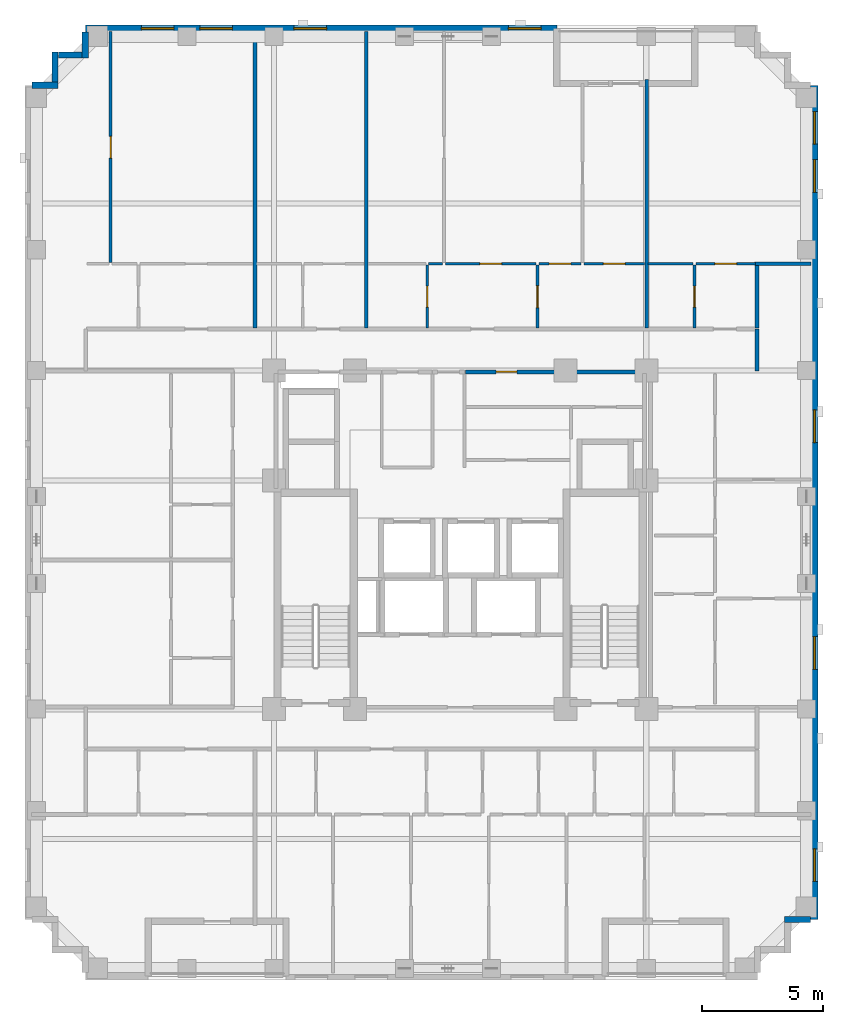
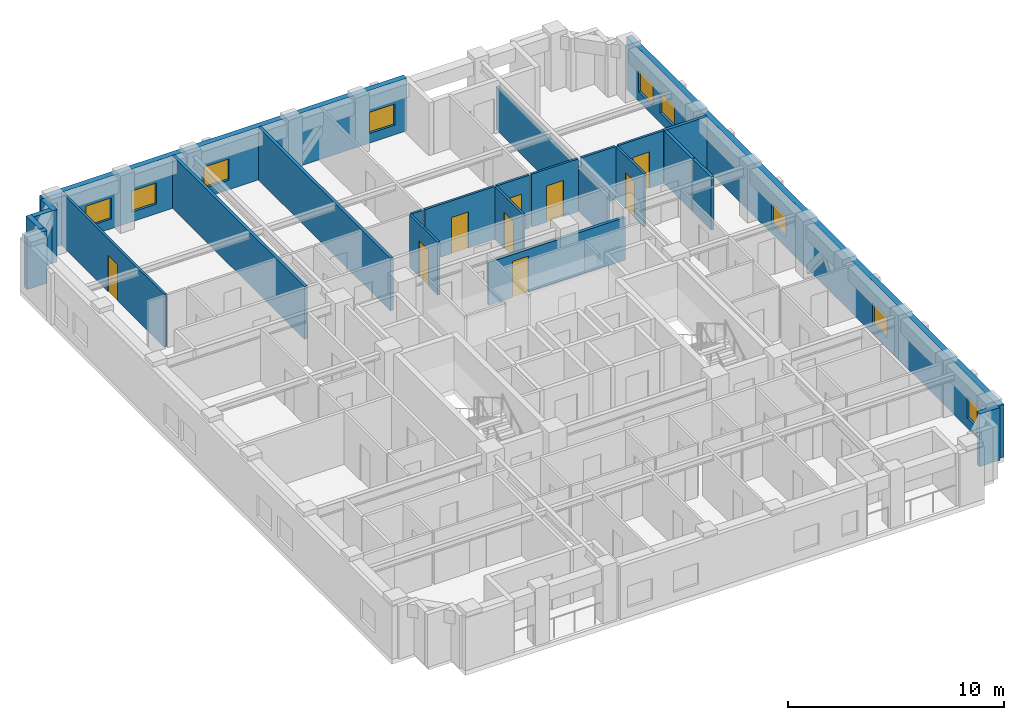
# One storey, part 7 of 11: 24 walls, 9 doors, 9 windows, 18 openings.
"""IFC4 building model written with IfcOpenShell, lengths in metres."""

from ifc_helpers import new_model, si_unit, derived_unit, direction, frame, frame_2d, origin, place, context, subcontext, project, spatial, rectangle, extrude, material, layer, layer_set, type_object, element, fill, save


model = new_model("IFC4")

# Units and contexts
model_context = context("Model", 3, precision=1e-05, world=origin(), true_north=direction((0.0, 1.0)))
body_context = subcontext(model_context, "Body", "Model", "MODEL_VIEW")
ifc_project = project(units=[si_unit("LENGTHUNIT", "METRE"), si_unit("AREAUNIT", "SQUARE_METRE"), si_unit("VOLUMEUNIT", "CUBIC_METRE"), si_unit("PLANEANGLEUNIT", "RADIAN"), si_unit("MASSUNIT", "GRAM", prefix="KILO"), derived_unit("THERMALTRANSMITTANCEUNIT", [(si_unit("MASSUNIT", "GRAM", prefix="KILO"), 1), (si_unit("TIMEUNIT", "SECOND"), -3), (si_unit("THERMODYNAMICTEMPERATUREUNIT", "KELVIN"), -1)])], contexts=[model_context])

# Site, building, storey
site_placement = place(None, origin())
site = spatial("IfcSite", under=ifc_project, at=site_placement, CompositionType="ELEMENT")
building_placement = place(site_placement, origin())
building = spatial("IfcBuilding", under=site, at=building_placement, Name="Korrvale Station Residences", CompositionType="ELEMENT")
storey_placement = place(building_placement, frame((0.0, 0.0, 140.64990234375)))
storey = spatial("IfcBuildingStorey", under=building, at=storey_placement, Name="L40", CompositionType="ELEMENT", Elevation=140.64990234375)

# Walls
ifc_material_1 = material(Name="Precast concrete C45/55", Category="concrete")
ifc_layer_1 = layer(ifc_material_1, 0.260009765625, Name="Precast concrete C45/55")
ifc_layer_set_1 = layer_set([ifc_layer_1], Name="Precast concrete C45/55")
wall_type_1 = type_object("IfcWallType", Name="WAL-EXT-LOG260", PredefinedType="SOLIDWALL", material=ifc_layer_set_1)
wall_1_placement = place(storey_placement, frame((7.802001953125, 40.800048828125, 0.0), z_axis=(0.0, 0.0, 1.0), x_axis=(1.0, 0.0, 0.0)))
element("IfcWall", 1, at=wall_1_placement, inside=storey, type_object=wall_type_1, Name="L40 Serrated Corner Precast Step NW-1", PredefinedType="SOLIDWALL", context=body_context, shape_type="SweptSolid", body=[
    extrude(rectangle(XDim=1.077880859375, YDim=0.260009765625, at=frame_2d((0.5390625, 0.0))), origin(), (0.0, 0.0, 1.0), 2.989990234375),
])
wall_2_placement = place(storey_placement, frame((8.75, 40.931884765625, 0.0), z_axis=(0.0, 0.0, 1.0), x_axis=(0.0, 1.0, 0.0)))
element("IfcWall", 2, at=wall_2_placement, inside=storey, type_object=wall_type_1, Name="L40 Serrated Corner Precast Step NW-2", PredefinedType="SOLIDWALL", context=body_context, shape_type="SweptSolid", body=[
    extrude(rectangle(XDim=1.248046875, YDim=0.260009765625, at=frame_2d((0.6240234375, 0.0))), origin(), (0.0, 0.0, 1.0), 2.989990234375),
])
wall_3_placement = place(storey_placement, frame((8.882080078125, 42.050048828125, 0.0), z_axis=(0.0, 0.0, 1.0), x_axis=(1.0, 0.0, 0.0)))
element("IfcWall", 3, at=wall_3_placement, inside=storey, type_object=wall_type_1, Name="L40 Serrated Corner Precast Step NW-3", PredefinedType="SOLIDWALL", context=body_context, shape_type="SweptSolid", body=[
    extrude(rectangle(XDim=0.98583984375, YDim=0.260009765625, at=frame_2d((0.492919921875, 0.0))), origin(), (0.0, 0.0, 1.0), 2.989990234375),
])
for number, where, z_axis, x_axis, name in (
    (4, (10.0, 41.919921875, 0.0), (0.0, 0.0, 1.0), (0.0, 1.0, 0.0), "L40 Serrated Corner Precast Step NW-4"),
    (5, (39.998046875, 6.300048828125, 0.0), (0.0, 0.0, 1.0), (-1.0, 0.0, 0.0), "L40 Serrated Corner Precast Step SE-1"),
):
    element("IfcWall", number, at=place(storey_placement, frame(where, z_axis=z_axis, x_axis=x_axis)), inside=storey, type_object=wall_type_1, Name=name, PredefinedType="SOLIDWALL", context=body_context, shape_type="SweptSolid", body=[
        extrude(rectangle(XDim=1.078125, YDim=0.260009765625, at=frame_2d((0.5390625, 0.0))), origin(), (0.0, 0.0, 1.0), 2.989990234375),
    ])

# Wall, openings, windows
ifc_layer_2 = layer(ifc_material_1, 0.300048828125, Name="Precast concrete C45/55")
ifc_layer_set_2 = layer_set([ifc_layer_2], Name="Precast concrete C45/55")
wall_type_2 = type_object("IfcWallType", Name="WAL-EXT-PC300", PredefinedType="SOLIDWALL", material=ifc_layer_set_2)
wall_4_placement = place(storey_placement, frame((10.0, 43.14990234375, 0.0), z_axis=(0.0, 0.0, 1.0), x_axis=(1.0, 0.0, 0.0)))
wall_4 = element("IfcWall", 6, at=wall_4_placement, inside=storey, type_object=wall_type_2, Name="L40 North Exterior Precast Wall 1", PredefinedType="SOLIDWALL", context=body_context, shape_type="SweptSolid", body=[
    extrude(rectangle(XDim=19.5, YDim=0.300048828125, at=frame_2d((9.75, 0.0))), origin(), (0.0, 0.0, 1.0), 2.989990234375),
])
opening_1_placement = place(wall_4_placement, frame((2.31494140625, 0.0, 0.550048828125)))
opening_1 = element("IfcOpeningElement", 7, at=opening_1_placement, cuts=wall_4, Name="Opening W-10", PredefinedType="OPENING", context=body_context, shape_type="SweptSolid", body=[
    extrude(rectangle(XDim=1.35009765625, YDim=1.199951171875, at=frame_2d((0.675048828125, 0.60009765625))), frame((0.0, 0.16015625, 0.0), z_axis=(0.0, -1.0, 0.0), x_axis=(1.0, 0.0, 0.0)), (0.0, 0.0, 1.0), 0.320068359375),
])
opening_2_placement = place(wall_4_placement, frame((4.735107421875, 0.0, 0.550048828125)))
opening_2 = element("IfcOpeningElement", 8, at=opening_2_placement, cuts=wall_4, Name="Opening W-10", PredefinedType="OPENING", context=body_context, shape_type="SweptSolid", body=[
    extrude(rectangle(XDim=1.35009765625, YDim=1.199951171875, at=frame_2d((0.675048828125, 0.60009765625))), frame((0.0, 0.16015625, 0.0), z_axis=(0.0, -1.0, 0.0), x_axis=(1.0, 0.0, 0.0)), (0.0, 0.0, 1.0), 0.320068359375),
])
opening_3_placement = place(wall_4_placement, frame((8.625, 0.0, 0.550048828125)))
opening_3 = element("IfcOpeningElement", 9, at=opening_3_placement, cuts=wall_4, Name="Opening W-10", PredefinedType="OPENING", context=body_context, shape_type="SweptSolid", body=[
    extrude(rectangle(XDim=1.35009765625, YDim=1.199951171875, at=frame_2d((0.675048828125, 0.60009765625))), frame((0.0, 0.16015625, 0.0), z_axis=(0.0, -1.0, 0.0), x_axis=(1.0, 0.0, 0.0)), (0.0, 0.0, 1.0), 0.320068359375),
])
opening_4_placement = place(wall_4_placement, frame((17.5, 0.0, 0.550048828125)))
opening_4 = element("IfcOpeningElement", 10, at=opening_4_placement, cuts=wall_4, Name="Opening W-10", PredefinedType="OPENING", context=body_context, shape_type="SweptSolid", body=[
    extrude(rectangle(XDim=1.35009765625, YDim=1.199951171875, at=frame_2d((0.675048828125, 0.60009765625))), frame((0.0, 0.16015625, 0.0), z_axis=(0.0, -1.0, 0.0), x_axis=(1.0, 0.0, 0.0)), (0.0, 0.0, 1.0), 0.320068359375),
])
ifc_material_2 = material(Name="Thermally broken aluminium frame with triple low-e glazing", Category="aluminium")
window_type = type_object("IfcWindowType", Name="WIN-W10", PartitioningType="SINGLE_PANEL", PredefinedType="WINDOW", material=ifc_material_2)
window_1_placement = place(opening_1_placement, origin())
window_1 = element("IfcWindow", 11, at=window_1_placement, inside=storey, type_object=window_type, Name="L40 Punched Window 09", OverallHeight=1.199951171875, OverallWidth=1.35009765625, PartitioningType="SINGLE_PANEL", PredefinedType="WINDOW", context=body_context, shape_type="SweptSolid", body=[
    extrude(rectangle(XDim=1.35009765625, YDim=1.199951171875, at=frame_2d((0.675048828125, 0.60009765625))), frame((0.0, 0.030029296875, 0.0), z_axis=(0.0, -1.0, 0.0), x_axis=(1.0, 0.0, 0.0)), (0.0, 0.0, 1.0), 0.06005859375),
])
fill(opening_1, window_1)
window_2_placement = place(opening_2_placement, origin())
window_2 = element("IfcWindow", 12, at=window_2_placement, inside=storey, type_object=window_type, Name="L40 Punched Window 10", OverallHeight=1.199951171875, OverallWidth=1.35009765625, PartitioningType="SINGLE_PANEL", PredefinedType="WINDOW", context=body_context, shape_type="SweptSolid", body=[
    extrude(rectangle(XDim=1.35009765625, YDim=1.199951171875, at=frame_2d((0.675048828125, 0.60009765625))), frame((0.0, 0.030029296875, 0.0), z_axis=(0.0, -1.0, 0.0), x_axis=(1.0, 0.0, 0.0)), (0.0, 0.0, 1.0), 0.06005859375),
])
fill(opening_2, window_2)
window_3_placement = place(opening_3_placement, origin())
window_3 = element("IfcWindow", 13, at=window_3_placement, inside=storey, type_object=window_type, Name="L40 Punched Window 11", OverallHeight=1.199951171875, OverallWidth=1.35009765625, PartitioningType="SINGLE_PANEL", PredefinedType="WINDOW", context=body_context, shape_type="SweptSolid", body=[
    extrude(rectangle(XDim=1.35009765625, YDim=1.199951171875, at=frame_2d((0.675048828125, 0.60009765625))), frame((0.0, 0.030029296875, 0.0), z_axis=(0.0, -1.0, 0.0), x_axis=(1.0, 0.0, 0.0)), (0.0, 0.0, 1.0), 0.06005859375),
])
fill(opening_3, window_3)
window_4_placement = place(opening_4_placement, origin())
window_4 = element("IfcWindow", 14, at=window_4_placement, inside=storey, type_object=window_type, Name="L40 Punched Window 12", OverallHeight=1.199951171875, OverallWidth=1.35009765625, PartitioningType="SINGLE_PANEL", PredefinedType="WINDOW", context=body_context, shape_type="SweptSolid", body=[
    extrude(rectangle(XDim=1.35009765625, YDim=1.199951171875, at=frame_2d((0.675048828125, 0.60009765625))), frame((0.0, 0.030029296875, 0.0), z_axis=(0.0, -1.0, 0.0), x_axis=(1.0, 0.0, 0.0)), (0.0, 0.0, 1.0), 0.06005859375),
])
fill(opening_4, window_4)

wall_5_placement = place(storey_placement, frame((40.14990234375, 40.800048828125, 0.0), z_axis=(0.0, 0.0, 1.0), x_axis=(0.0, -1.0, 0.0)))
wall_5 = element("IfcWall", 15, at=wall_5_placement, inside=storey, type_object=wall_type_2, Name="L40 East Exterior Precast Wall 1", PredefinedType="SOLIDWALL", context=body_context, shape_type="SweptSolid", body=[
    extrude(rectangle(XDim=34.5, YDim=0.300048828125, at=frame_2d((17.25, 0.0))), origin(), (0.0, 0.0, 1.0), 2.989990234375),
])
opening_5_placement = place(wall_5_placement, frame((31.574951171875, 0.0, 0.550048828125)))
opening_5 = element("IfcOpeningElement", 16, at=opening_5_placement, cuts=wall_5, Name="Opening W-10", PredefinedType="OPENING", context=body_context, shape_type="SweptSolid", body=[
    extrude(rectangle(XDim=1.35009765625, YDim=1.199951171875, at=frame_2d((0.675048828125, 0.60009765625))), frame((0.0, 0.16015625, 0.0), z_axis=(0.0, -1.0, 0.0), x_axis=(1.0, 0.0, 0.0)), (0.0, 0.0, 1.0), 0.320068359375),
])
opening_6_placement = place(wall_5_placement, frame((3.074951171875, 0.0, 0.550048828125)))
opening_6 = element("IfcOpeningElement", 17, at=opening_6_placement, cuts=wall_5, Name="Opening W-10", PredefinedType="OPENING", context=body_context, shape_type="SweptSolid", body=[
    extrude(rectangle(XDim=1.35009765625, YDim=1.199951171875, at=frame_2d((0.675048828125, 0.60009765625))), frame((0.0, 0.16015625, 0.0), z_axis=(0.0, -1.0, 0.0), x_axis=(1.0, 0.0, 0.0)), (0.0, 0.0, 1.0), 0.320068359375),
])
opening_7_placement = place(wall_5_placement, frame((1.0849609375, 0.0, 0.550048828125)))
opening_7 = element("IfcOpeningElement", 18, at=opening_7_placement, cuts=wall_5, Name="Opening W-10", PredefinedType="OPENING", context=body_context, shape_type="SweptSolid", body=[
    extrude(rectangle(XDim=1.35009765625, YDim=1.199951171875, at=frame_2d((0.675048828125, 0.60009765625))), frame((0.0, 0.16015625, 0.0), z_axis=(0.0, -1.0, 0.0), x_axis=(1.0, 0.0, 0.0)), (0.0, 0.0, 1.0), 0.320068359375),
])
opening_8_placement = place(wall_5_placement, frame((22.800048828125, 0.0, 0.550048828125)))
opening_8 = element("IfcOpeningElement", 19, at=opening_8_placement, cuts=wall_5, Name="Opening W-10", PredefinedType="OPENING", context=body_context, shape_type="SweptSolid", body=[
    extrude(rectangle(XDim=1.35009765625, YDim=1.199951171875, at=frame_2d((0.675048828125, 0.60009765625))), frame((0.0, 0.16015625, 0.0), z_axis=(0.0, -1.0, 0.0), x_axis=(1.0, 0.0, 0.0)), (0.0, 0.0, 1.0), 0.320068359375),
])
opening_9_placement = place(wall_5_placement, frame((13.425048828125, 0.0, 0.550048828125)))
opening_9 = element("IfcOpeningElement", 20, at=opening_9_placement, cuts=wall_5, Name="Opening W-10", PredefinedType="OPENING", context=body_context, shape_type="SweptSolid", body=[
    extrude(rectangle(XDim=1.35009765625, YDim=1.199951171875, at=frame_2d((0.675048828125, 0.60009765625))), frame((0.0, 0.16015625, 0.0), z_axis=(0.0, -1.0, 0.0), x_axis=(1.0, 0.0, 0.0)), (0.0, 0.0, 1.0), 0.320068359375),
])
window_5_placement = place(opening_5_placement, origin())
window_5 = element("IfcWindow", 21, at=window_5_placement, inside=storey, type_object=window_type, Name="L40 Punched Window 06", OverallHeight=1.199951171875, OverallWidth=1.35009765625, PartitioningType="SINGLE_PANEL", PredefinedType="WINDOW", context=body_context, shape_type="SweptSolid", body=[
    extrude(rectangle(XDim=1.35009765625, YDim=1.199951171875, at=frame_2d((0.675048828125, 0.60009765625))), frame((0.0, 0.030029296875, 0.0), z_axis=(0.0, -1.0, 0.0), x_axis=(1.0, 0.0, 0.0)), (0.0, 0.0, 1.0), 0.06005859375),
])
fill(opening_5, window_5)
window_6_placement = place(opening_6_placement, origin())
window_6 = element("IfcWindow", 22, at=window_6_placement, inside=storey, type_object=window_type, Name="L40 Punched Window 14", OverallHeight=1.199951171875, OverallWidth=1.35009765625, PartitioningType="SINGLE_PANEL", PredefinedType="WINDOW", context=body_context, shape_type="SweptSolid", body=[
    extrude(rectangle(XDim=1.35009765625, YDim=1.199951171875, at=frame_2d((0.675048828125, 0.60009765625))), frame((0.0, 0.030029296875, 0.0), z_axis=(0.0, -1.0, 0.0), x_axis=(1.0, 0.0, 0.0)), (0.0, 0.0, 1.0), 0.06005859375),
])
fill(opening_6, window_6)
window_7_placement = place(opening_7_placement, origin())
window_7 = element("IfcWindow", 23, at=window_7_placement, inside=storey, type_object=window_type, Name="L40 Punched Window 15", OverallHeight=1.199951171875, OverallWidth=1.35009765625, PartitioningType="SINGLE_PANEL", PredefinedType="WINDOW", context=body_context, shape_type="SweptSolid", body=[
    extrude(rectangle(XDim=1.35009765625, YDim=1.199951171875, at=frame_2d((0.675048828125, 0.60009765625))), frame((0.0, 0.030029296875, 0.0), z_axis=(0.0, -1.0, 0.0), x_axis=(1.0, 0.0, 0.0)), (0.0, 0.0, 1.0), 0.06005859375),
])
fill(opening_7, window_7)
window_8_placement = place(opening_8_placement, origin())
window_8 = element("IfcWindow", 24, at=window_8_placement, inside=storey, type_object=window_type, Name="L40 Punched Window 20", OverallHeight=1.199951171875, OverallWidth=1.35009765625, PartitioningType="SINGLE_PANEL", PredefinedType="WINDOW", context=body_context, shape_type="SweptSolid", body=[
    extrude(rectangle(XDim=1.35009765625, YDim=1.199951171875, at=frame_2d((0.675048828125, 0.60009765625))), frame((0.0, 0.030029296875, 0.0), z_axis=(0.0, -1.0, 0.0), x_axis=(1.0, 0.0, 0.0)), (0.0, 0.0, 1.0), 0.06005859375),
])
fill(opening_8, window_8)
window_9_placement = place(opening_9_placement, origin())
window_9 = element("IfcWindow", 25, at=window_9_placement, inside=storey, type_object=window_type, Name="L40 Punched Window 21", OverallHeight=1.199951171875, OverallWidth=1.35009765625, PartitioningType="SINGLE_PANEL", PredefinedType="WINDOW", context=body_context, shape_type="SweptSolid", body=[
    extrude(rectangle(XDim=1.35009765625, YDim=1.199951171875, at=frame_2d((0.675048828125, 0.60009765625))), frame((0.0, 0.030029296875, 0.0), z_axis=(0.0, -1.0, 0.0), x_axis=(1.0, 0.0, 0.0)), (0.0, 0.0, 1.0), 0.06005859375),
])
fill(opening_9, window_9)

# Wall, opening, door
ifc_material_3 = material(Name="Acoustic steel-stud gypsum board partition", Category="steel")
ifc_layer_3 = layer(ifc_material_3, 0.1201171875, Name="Acoustic steel-stud gypsum board partition")
ifc_layer_set_3 = layer_set([ifc_layer_3], Name="Acoustic steel-stud gypsum board partition")
wall_type_3 = type_object("IfcWallType", Name="WAL-PART-125", PredefinedType="PARTITIONING", material=ifc_layer_set_3)
wall_6_placement = place(storey_placement, frame((11.050048828125, 33.47998046875, 0.0), z_axis=(0.0, 0.0, 1.0), x_axis=(0.0, 1.0, 0.0)))
wall_6 = element("IfcWall", 26, at=wall_6_placement, inside=storey, type_object=wall_type_3, Name="L40 Suite Partition U03-V23", PredefinedType="PARTITIONING", context=body_context, shape_type="SweptSolid", body=[
    extrude(rectangle(XDim=9.5400390625, YDim=0.1201171875, at=frame_2d((4.77001953125, 0.0))), origin(), (0.0, 0.0, 1.0), 2.989990234375),
])
opening_10_placement = place(wall_6_placement, frame((4.304931640625, 0.0, 0.0)))
opening_10 = element("IfcOpeningElement", 27, at=opening_10_placement, cuts=wall_6, Name="Opening DI-900", PredefinedType="OPENING", context=body_context, shape_type="SweptSolid", body=[
    extrude(rectangle(XDim=0.89990234375, YDim=2.050048828125, at=frame_2d((0.449951171875, 1.02490234375))), frame((0.0, 0.070068359375, 0.0), z_axis=(0.0, -1.0, 0.0), x_axis=(1.0, 0.0, 0.0)), (0.0, 0.0, 1.0), 0.14013671875),
])
ifc_material_4 = material(Name="Painted solid-core timber interior room door", Category="wood")
door_type_1 = type_object("IfcDoorType", Name="DR-INT-900", OperationType="NOTDEFINED", PredefinedType="DOOR", material=ifc_material_4)
door_1_placement = place(opening_10_placement, origin())
door_1 = element("IfcDoor", 28, at=door_1_placement, inside=storey, type_object=door_type_1, Name="L40 Studio Apartment L40-U03 Walk-In Wardrobe Door", OperationType="SINGLE_SWING_RIGHT", OverallHeight=2.050048828125, OverallWidth=0.89990234375, PredefinedType="DOOR", context=body_context, shape_type="SweptSolid", body=[
    extrude(rectangle(XDim=0.89990234375, YDim=2.050048828125, at=frame_2d((0.449951171875, 1.02490234375))), frame((0.0, 0.02490234375, 0.0), z_axis=(0.0, -1.0, 0.0), x_axis=(1.0, 0.0, 0.0)), (0.0, 0.0, 1.0), 0.050048828125),
])
fill(opening_10, door_1)

wall_7_placement = place(storey_placement, frame((24.14111328125, 30.760009765625, 0.0), z_axis=(0.0, 0.0, 1.0), x_axis=(0.0, 1.0, 0.0)))
wall_7 = element("IfcWall", 29, at=wall_7_placement, inside=storey, type_object=wall_type_3, Name="L40 Suite Partition U05-V01", PredefinedType="PARTITIONING", context=body_context, shape_type="SweptSolid", body=[
    extrude(rectangle(XDim=2.60009765625, YDim=0.1201171875, at=frame_2d((1.300048828125, 0.0))), origin(), (0.0, 0.0, 1.0), 2.989990234375),
])
opening_11_placement = place(wall_7_placement, frame((0.8701171875, 0.0, 0.0)))
opening_11 = element("IfcOpeningElement", 30, at=opening_11_placement, cuts=wall_7, Name="Opening DB-860", PredefinedType="OPENING", context=body_context, shape_type="SweptSolid", body=[
    extrude(rectangle(XDim=0.860107421875, YDim=2.050048828125, at=frame_2d((0.43017578125, 1.02490234375))), frame((0.0, 0.070068359375, 0.0), z_axis=(0.0, -1.0, 0.0), x_axis=(1.0, 0.0, 0.0)), (0.0, 0.0, 1.0), 0.14013671875),
])
ifc_material_5 = material(Name="Moisture-resistant solid-core bathroom door", Category="timber")
door_type_2 = type_object("IfcDoorType", Name="DR-BATH-860", OperationType="NOTDEFINED", PredefinedType="DOOR", material=ifc_material_5)
door_2_placement = place(opening_11_placement, origin())
door_2 = element("IfcDoor", 31, at=door_2_placement, inside=storey, type_object=door_type_2, Name="L40 Studio Apartment L40-U05 Bathroom Door", OperationType="SINGLE_SWING_LEFT", OverallHeight=2.050048828125, OverallWidth=0.860107421875, PredefinedType="DOOR", context=body_context, shape_type="SweptSolid", body=[
    extrude(rectangle(XDim=0.860107421875, YDim=2.050048828125, at=frame_2d((0.43017578125, 1.02490234375))), frame((0.0, 0.02490234375, 0.0), z_axis=(0.0, -1.0, 0.0), x_axis=(1.0, 0.0, 0.0)), (0.0, 0.0, 1.0), 0.050048828125),
])
fill(opening_11, door_2)

wall_8_placement = place(storey_placement, frame((28.700927734375, 30.760009765625, 0.0), z_axis=(0.0, 0.0, 1.0), x_axis=(0.0, 1.0, 0.0)))
wall_8 = element("IfcWall", 32, at=wall_8_placement, inside=storey, type_object=wall_type_3, Name="L40 Suite Partition U05-V12", PredefinedType="PARTITIONING", context=body_context, shape_type="SweptSolid", body=[
    extrude(rectangle(XDim=2.60009765625, YDim=0.1201171875, at=frame_2d((1.300048828125, 0.0))), origin(), (0.0, 0.0, 1.0), 2.989990234375),
])
opening_12_placement = place(wall_8_placement, frame((0.85009765625, 0.0, 0.0)))
opening_12 = element("IfcOpeningElement", 33, at=opening_12_placement, cuts=wall_8, Name="Opening DI-900", PredefinedType="OPENING", context=body_context, shape_type="SweptSolid", body=[
    extrude(rectangle(XDim=0.89990234375, YDim=2.050048828125, at=frame_2d((0.449951171875, 1.02490234375))), frame((0.0, 0.070068359375, 0.0), z_axis=(0.0, -1.0, 0.0), x_axis=(1.0, 0.0, 0.0)), (0.0, 0.0, 1.0), 0.14013671875),
])
door_3_placement = place(opening_12_placement, origin())
door_3 = element("IfcDoor", 34, at=door_3_placement, inside=storey, type_object=door_type_1, Name="L40 Studio Apartment L40-U05 Kitchen Door", OperationType="SINGLE_SWING_RIGHT", OverallHeight=2.050048828125, OverallWidth=0.89990234375, PredefinedType="DOOR", context=body_context, shape_type="SweptSolid", body=[
    extrude(rectangle(XDim=0.89990234375, YDim=2.050048828125, at=frame_2d((0.449951171875, 1.02490234375))), frame((0.0, 0.02490234375, 0.0), z_axis=(0.0, -1.0, 0.0), x_axis=(1.0, 0.0, 0.0)), (0.0, 0.0, 1.0), 0.050048828125),
])
fill(opening_12, door_3)

# Wall
wall_9_placement = place(storey_placement, frame((24.200927734375, 33.419921875, 0.0), z_axis=(0.0, 0.0, 1.0), x_axis=(1.0, 0.0, 0.0)))
element("IfcWall", 35, at=wall_9_placement, inside=storey, type_object=wall_type_3, Name="L40 Suite Partition U05-H13", PredefinedType="PARTITIONING", context=body_context, shape_type="SweptSolid", body=[
    extrude(rectangle(XDim=0.580078125, YDim=0.1201171875, at=frame_2d((0.2900390625, 0.0))), origin(), (0.0, 0.0, 1.0), 2.989990234375),
])

# Wall, opening, door
wall_10_placement = place(storey_placement, frame((24.90087890625, 33.419921875, 0.0), z_axis=(0.0, 0.0, 1.0), x_axis=(1.0, 0.0, 0.0)))
wall_10 = element("IfcWall", 36, at=wall_10_placement, inside=storey, type_object=wall_type_3, Name="L40 Suite Partition U05-H14", PredefinedType="PARTITIONING", context=body_context, shape_type="SweptSolid", body=[
    extrude(rectangle(XDim=3.740234375, YDim=0.1201171875, at=frame_2d((1.8701171875, 0.0))), origin(), (0.0, 0.0, 1.0), 2.989990234375),
])
opening_13_placement = place(wall_10_placement, frame((1.419921875, 0.0, 0.0)))
opening_13 = element("IfcOpeningElement", 37, at=opening_13_placement, cuts=wall_10, Name="Opening DI-900", PredefinedType="OPENING", context=body_context, shape_type="SweptSolid", body=[
    extrude(rectangle(XDim=0.89990234375, YDim=2.050048828125, at=frame_2d((0.449951171875, 1.02490234375))), frame((0.0, 0.070068359375, 0.0), z_axis=(0.0, -1.0, 0.0), x_axis=(1.0, 0.0, 0.0)), (0.0, 0.0, 1.0), 0.14013671875),
])
door_4_placement = place(opening_13_placement, origin())
door_4 = element("IfcDoor", 38, at=door_4_placement, inside=storey, type_object=door_type_1, Name="L40 Studio Apartment L40-U05 Kitchen Door", OperationType="SINGLE_SWING_LEFT", OverallHeight=2.050048828125, OverallWidth=0.89990234375, PredefinedType="DOOR", context=body_context, shape_type="SweptSolid", body=[
    extrude(rectangle(XDim=0.89990234375, YDim=2.050048828125, at=frame_2d((0.449951171875, 1.02490234375))), frame((0.0, 0.02490234375, 0.0), z_axis=(0.0, -1.0, 0.0), x_axis=(1.0, 0.0, 0.0)), (0.0, 0.0, 1.0), 0.050048828125),
])
fill(opening_13, door_4)

wall_11_placement = place(storey_placement, frame((28.760986328125, 33.419921875, 0.0), z_axis=(0.0, 0.0, 1.0), x_axis=(1.0, 0.0, 0.0)))
wall_11 = element("IfcWall", 39, at=wall_11_placement, inside=storey, type_object=wall_type_3, Name="L40 Suite Partition U05-H24", PredefinedType="PARTITIONING", context=body_context, shape_type="SweptSolid", body=[
    extrude(rectangle(XDim=1.739013671875, YDim=0.1201171875, at=frame_2d((0.86962890625, 0.0))), origin(), (0.0, 0.0, 1.0), 2.989990234375),
])
opening_14_placement = place(wall_11_placement, frame((0.419921875, 0.0, 0.0)))
opening_14 = element("IfcOpeningElement", 40, at=opening_14_placement, cuts=wall_11, Name="Opening DI-900", PredefinedType="OPENING", context=body_context, shape_type="SweptSolid", body=[
    extrude(rectangle(XDim=0.89990234375, YDim=2.050048828125, at=frame_2d((0.449951171875, 1.02490234375))), frame((0.0, 0.070068359375, 0.0), z_axis=(0.0, -1.0, 0.0), x_axis=(1.0, 0.0, 0.0)), (0.0, 0.0, 1.0), 0.14013671875),
])
door_5_placement = place(opening_14_placement, origin())
door_5 = element("IfcDoor", 41, at=door_5_placement, inside=storey, type_object=door_type_1, Name="L40 Studio Apartment L40-U05 Utility and Laundry Room Door", OperationType="SINGLE_SWING_RIGHT", OverallHeight=2.050048828125, OverallWidth=0.89990234375, PredefinedType="DOOR", context=body_context, shape_type="SweptSolid", body=[
    extrude(rectangle(XDim=0.89990234375, YDim=2.050048828125, at=frame_2d((0.449951171875, 1.02490234375))), frame((0.0, 0.02490234375, 0.0), z_axis=(0.0, -1.0, 0.0), x_axis=(1.0, 0.0, 0.0)), (0.0, 0.0, 1.0), 0.050048828125),
])
fill(opening_14, door_5)

wall_12_placement = place(storey_placement, frame((30.6201171875, 33.419921875, 0.0), z_axis=(0.0, 0.0, 1.0), x_axis=(1.0, 0.0, 0.0)))
wall_12 = element("IfcWall", 42, at=wall_12_placement, inside=storey, type_object=wall_type_3, Name="L40 Suite Partition U05-H25", PredefinedType="PARTITIONING", context=body_context, shape_type="SweptSolid", body=[
    extrude(rectangle(XDim=2.5, YDim=0.1201171875, at=frame_2d((1.25, 0.0))), origin(), (0.0, 0.0, 1.0), 2.989990234375),
])
opening_15_placement = place(wall_12_placement, frame((0.800048828125, 0.0, 0.0)))
opening_15 = element("IfcOpeningElement", 43, at=opening_15_placement, cuts=wall_12, Name="Opening DI-900", PredefinedType="OPENING", context=body_context, shape_type="SweptSolid", body=[
    extrude(rectangle(XDim=0.89990234375, YDim=2.050048828125, at=frame_2d((0.449951171875, 1.02490234375))), frame((0.0, 0.070068359375, 0.0), z_axis=(0.0, -1.0, 0.0), x_axis=(1.0, 0.0, 0.0)), (0.0, 0.0, 1.0), 0.14013671875),
])
door_6_placement = place(opening_15_placement, origin())
door_6 = element("IfcDoor", 44, at=door_6_placement, inside=storey, type_object=door_type_1, Name="L40 Studio Apartment L40-U05 Utility and Laundry Room Door", OperationType="SINGLE_SWING_LEFT", OverallHeight=2.050048828125, OverallWidth=0.89990234375, PredefinedType="DOOR", context=body_context, shape_type="SweptSolid", body=[
    extrude(rectangle(XDim=0.89990234375, YDim=2.050048828125, at=frame_2d((0.449951171875, 1.02490234375))), frame((0.0, 0.02490234375, 0.0), z_axis=(0.0, -1.0, 0.0), x_axis=(1.0, 0.0, 0.0)), (0.0, 0.0, 1.0), 0.050048828125),
])
fill(opening_15, door_6)

wall_13_placement = place(storey_placement, frame((35.18994140625, 30.760009765625, 0.0), z_axis=(0.0, 0.0, 1.0), x_axis=(0.0, 1.0, 0.0)))
wall_13 = element("IfcWall", 45, at=wall_13_placement, inside=storey, type_object=wall_type_3, Name="L40 Suite Partition U06-V01", PredefinedType="PARTITIONING", context=body_context, shape_type="SweptSolid", body=[
    extrude(rectangle(XDim=2.60009765625, YDim=0.1201171875, at=frame_2d((1.300048828125, 0.0))), origin(), (0.0, 0.0, 1.0), 2.989990234375),
])
opening_16_placement = place(wall_13_placement, frame((0.8701171875, 0.0, 0.0)))
opening_16 = element("IfcOpeningElement", 46, at=opening_16_placement, cuts=wall_13, Name="Opening DB-860", PredefinedType="OPENING", context=body_context, shape_type="SweptSolid", body=[
    extrude(rectangle(XDim=0.860107421875, YDim=2.050048828125, at=frame_2d((0.43017578125, 1.02490234375))), frame((0.0, 0.070068359375, 0.0), z_axis=(0.0, -1.0, 0.0), x_axis=(1.0, 0.0, 0.0)), (0.0, 0.0, 1.0), 0.14013671875),
])
door_7_placement = place(opening_16_placement, origin())
door_7 = element("IfcDoor", 47, at=door_7_placement, inside=storey, type_object=door_type_2, Name="L40 Studio Apartment L40-U06 Bathroom Door", OperationType="SINGLE_SWING_RIGHT", OverallHeight=2.050048828125, OverallWidth=0.860107421875, PredefinedType="DOOR", context=body_context, shape_type="SweptSolid", body=[
    extrude(rectangle(XDim=0.860107421875, YDim=2.050048828125, at=frame_2d((0.43017578125, 1.02490234375))), frame((0.0, 0.02490234375, 0.0), z_axis=(0.0, -1.0, 0.0), x_axis=(1.0, 0.0, 0.0)), (0.0, 0.0, 1.0), 0.050048828125),
])
fill(opening_16, door_7)

# Wall
wall_14_placement = place(storey_placement, frame((33.280029296875, 33.419921875, 0.0), z_axis=(0.0, 0.0, 1.0), x_axis=(1.0, 0.0, 0.0)))
element("IfcWall", 48, at=wall_14_placement, inside=storey, type_object=wall_type_3, Name="L40 Suite Partition U06-H02", PredefinedType="PARTITIONING", context=body_context, shape_type="SweptSolid", body=[
    extrude(rectangle(XDim=1.849853515625, YDim=0.1201171875, at=frame_2d((0.9248046875, 0.0))), origin(), (0.0, 0.0, 1.0), 2.989990234375),
])

# Wall, opening, door
wall_15_placement = place(storey_placement, frame((35.25, 33.419921875, 0.0), z_axis=(0.0, 0.0, 1.0), x_axis=(1.0, 0.0, 0.0)))
wall_15 = element("IfcWall", 49, at=wall_15_placement, inside=storey, type_object=wall_type_3, Name="L40 Suite Partition U06-H12", PredefinedType="PARTITIONING", context=body_context, shape_type="SweptSolid", body=[
    extrude(rectangle(XDim=2.469970703125, YDim=0.1201171875, at=frame_2d((1.23486328125, 0.0))), origin(), (0.0, 0.0, 1.0), 2.989990234375),
])
opening_17_placement = place(wall_15_placement, frame((0.784912109375, 0.0, 0.0)))
opening_17 = element("IfcOpeningElement", 50, at=opening_17_placement, cuts=wall_15, Name="Opening DI-900", PredefinedType="OPENING", context=body_context, shape_type="SweptSolid", body=[
    extrude(rectangle(XDim=0.89990234375, YDim=2.050048828125, at=frame_2d((0.449951171875, 1.02490234375))), frame((0.0, 0.070068359375, 0.0), z_axis=(0.0, -1.0, 0.0), x_axis=(1.0, 0.0, 0.0)), (0.0, 0.0, 1.0), 0.14013671875),
])
door_8_placement = place(opening_17_placement, origin())
door_8 = element("IfcDoor", 51, at=door_8_placement, inside=storey, type_object=door_type_1, Name="L40 Studio Apartment L40-U06 Kitchen Door", OperationType="SINGLE_SWING_LEFT", OverallHeight=2.050048828125, OverallWidth=0.89990234375, PredefinedType="DOOR", context=body_context, shape_type="SweptSolid", body=[
    extrude(rectangle(XDim=0.89990234375, YDim=2.050048828125, at=frame_2d((0.449951171875, 1.02490234375))), frame((0.0, 0.02490234375, 0.0), z_axis=(0.0, -1.0, 0.0), x_axis=(1.0, 0.0, 0.0)), (0.0, 0.0, 1.0), 0.050048828125),
])
fill(opening_17, door_8)

ifc_material_6 = material(Name="Fire-rated twin-stud gypsum and mineral wool shaftwall assembly", Category="gypsum")
ifc_layer_4 = layer(ifc_material_6, 0.159912109375, Name="Fire-rated twin-stud gypsum and mineral wool shaftwall assembly")
ifc_layer_set_4 = layer_set([ifc_layer_4], Name="Fire-rated twin-stud gypsum and mineral wool shaftwall assembly")
wall_type_4 = type_object("IfcWallType", Name="WAL-PART-200", PredefinedType="PARTITIONING", material=ifc_layer_set_4)
wall_16_placement = place(storey_placement, frame((25.719970703125, 28.949951171875, 0.0), z_axis=(0.0, 0.0, 1.0), x_axis=(1.0, 0.0, 0.0)))
wall_16 = element("IfcWall", 52, at=wall_16_placement, inside=storey, type_object=wall_type_4, Name="L40 Core Partition CW-FPLE-N", PredefinedType="PARTITIONING", context=body_context, shape_type="SweptSolid", body=[
    extrude(rectangle(XDim=7.320068359375, YDim=0.159912109375, at=frame_2d((3.66015625, 0.0))), origin(), (0.0, 0.0, 1.0), 2.426025390625),
])
opening_18_placement = place(wall_16_placement, frame((1.27001953125, 0.0, 0.0)))
opening_18 = element("IfcOpeningElement", 53, at=opening_18_placement, cuts=wall_16, Name="Opening DB-860", PredefinedType="OPENING", context=body_context, shape_type="SweptSolid", body=[
    extrude(rectangle(XDim=0.860107421875, YDim=2.050048828125, at=frame_2d((0.43017578125, 1.02490234375))), frame((0.0, 0.08984375, 0.0), z_axis=(0.0, -1.0, 0.0), x_axis=(1.0, 0.0, 0.0)), (0.0, 0.0, 1.0), 0.179931640625),
])
door_9_placement = place(opening_18_placement, origin())
door_9 = element("IfcDoor", 54, at=door_9_placement, inside=storey, type_object=door_type_2, Name="L40 Luggage Pantry Door", OperationType="SINGLE_SWING_LEFT", OverallHeight=2.050048828125, OverallWidth=0.860107421875, PredefinedType="DOOR", context=body_context, shape_type="SweptSolid", body=[
    extrude(rectangle(XDim=0.860107421875, YDim=2.050048828125, at=frame_2d((0.43017578125, 1.02490234375))), frame((0.0, 0.02490234375, 0.0), z_axis=(0.0, -1.0, 0.0), x_axis=(1.0, 0.0, 0.0)), (0.0, 0.0, 1.0), 0.050048828125),
])
fill(opening_18, door_9)

# Walls
wall_17_placement = place(storey_placement, frame((37.780029296875, 28.97998046875, 0.0), z_axis=(0.0, 0.0, 1.0), x_axis=(0.0, 1.0, 0.0)))
element("IfcWall", 55, at=wall_17_placement, inside=storey, type_object=wall_type_4, Name="L40 Corridor North East Cap", PredefinedType="PARTITIONING", context=body_context, shape_type="SweptSolid", body=[
    extrude(rectangle(XDim=1.739990234375, YDim=0.159912109375, at=frame_2d((0.8701171875, 0.0))), origin(), (0.0, 0.0, 1.0), 2.989990234375),
])
for number, where, z_axis, x_axis, name in (
    (56, (17.02392578125, 30.760009765625, 0.0), (0.0, 0.0, 1.0), (0.0, 1.0, 0.0), "L40 Demising Wall U04-W"),
    (57, (21.62109375, 30.760009765625, 0.0), (0.0, 0.0, 1.0), (0.0, 1.0, 0.0), "L40 Demising Wall U05-W"),
):
    element("IfcWall", number, at=place(storey_placement, frame(where, z_axis=z_axis, x_axis=x_axis)), inside=storey, type_object=wall_type_4, Name=name, PredefinedType="PARTITIONING", context=body_context, shape_type="SweptSolid", body=[
        extrude(rectangle(XDim=12.260009765625, YDim=0.159912109375, at=frame_2d((6.1298828125, 0.0))), origin(), (0.0, 0.0, 1.0), 2.989990234375),
    ])
wall_18_placement = place(storey_placement, frame((37.679931640625, 33.419921875, 0.0), z_axis=(0.0, 0.0, 1.0), x_axis=(1.0, 0.0, 0.0)))
element("IfcWall", 58, at=wall_18_placement, inside=storey, type_object=wall_type_4, Name="L40 Corner Step Wall U06-R", PredefinedType="PARTITIONING", context=body_context, shape_type="SweptSolid", body=[
    extrude(rectangle(XDim=2.340087890625, YDim=0.159912109375, at=frame_2d((1.169921875, 0.0))), origin(), (0.0, 0.0, 1.0), 2.989990234375),
])
wall_19_placement = place(storey_placement, frame((37.780029296875, 30.760009765625, 0.0), z_axis=(0.0, 0.0, 1.0), x_axis=(0.0, 1.0, 0.0)))
element("IfcWall", 59, at=wall_19_placement, inside=storey, type_object=wall_type_4, Name="L40 Corner Step Cheek U06-R", PredefinedType="PARTITIONING", context=body_context, shape_type="SweptSolid", body=[
    extrude(rectangle(XDim=2.659912109375, YDim=0.159912109375, at=frame_2d((1.330078125, 0.0))), origin(), (0.0, 0.0, 1.0), 2.989990234375),
])
wall_20_placement = place(storey_placement, frame((33.219970703125, 30.760009765625, 0.0), z_axis=(0.0, 0.0, 1.0), x_axis=(0.0, 1.0, 0.0)))
element("IfcWall", 60, at=wall_20_placement, inside=storey, type_object=wall_type_4, Name="L40 Demising Wall U06-W", PredefinedType="PARTITIONING", context=body_context, shape_type="SweptSolid", body=[
    extrude(rectangle(XDim=10.280029296875, YDim=0.159912109375, at=frame_2d((5.14013671875, 0.0))), origin(), (0.0, 0.0, 1.0), 2.426025390625),
])

save(model, "model.ifc")
